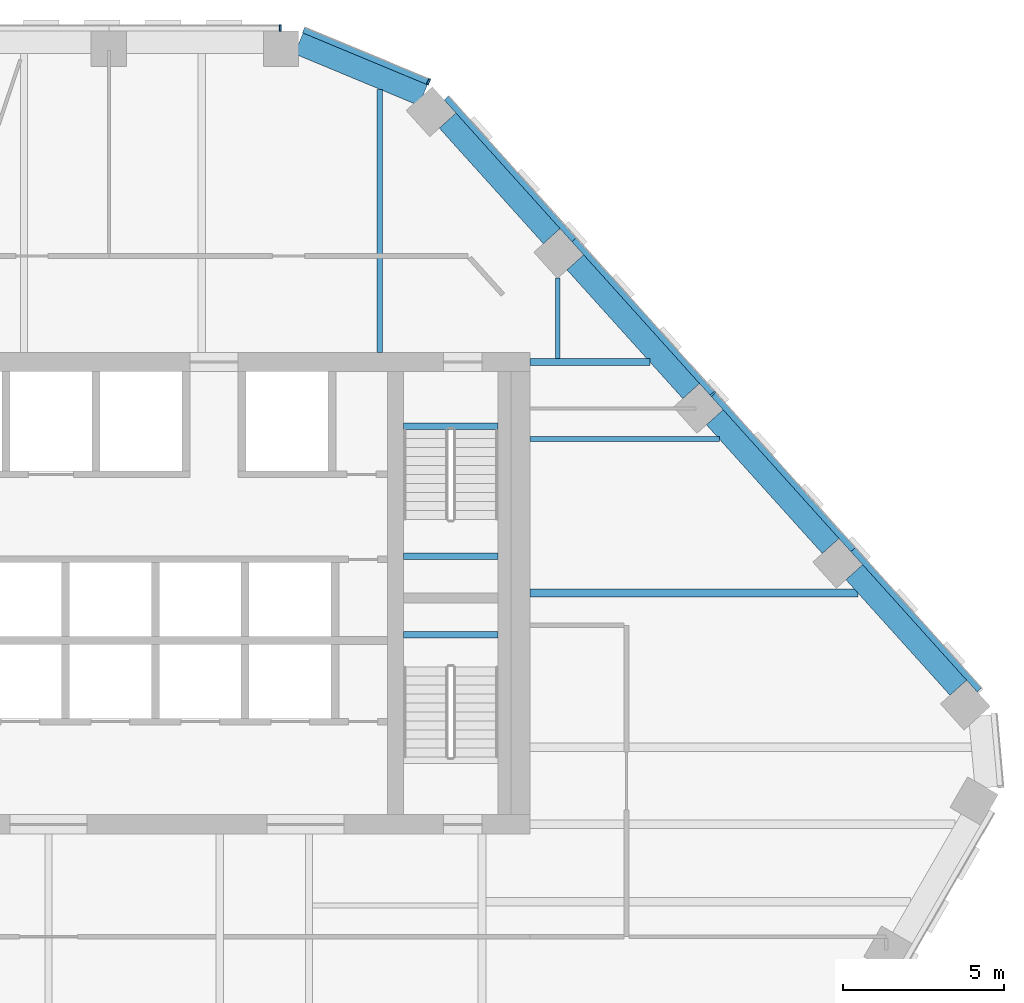
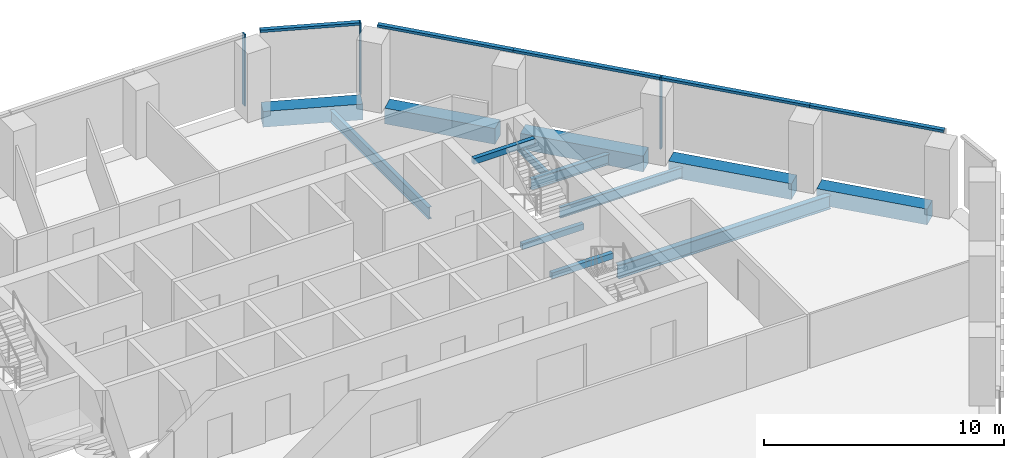
# One storey, part 7 of 16: 13 beams, 8 members, 3 elements without a shape of their own.
"""IFC4 building model written with IfcOpenShell, lengths in metres."""

from ifc_helpers import new_model, si_unit, direction, frame, origin, origin_2d, place, context, subcontext, project, spatial, rectangle, i_section, extrude, material, layer, layer_set, material_profile, profile_set, type_object, element, aggregate, save


model = new_model("IFC4")

# Units and contexts
model_context = context("Model", 3, precision=1e-05, world=origin(), true_north=direction((0.0, 1.0)))
body_context = subcontext(model_context, "Body", "Model", "MODEL_VIEW")
ifc_project = project(units=[si_unit("LENGTHUNIT", "METRE"), si_unit("AREAUNIT", "SQUARE_METRE"), si_unit("VOLUMEUNIT", "CUBIC_METRE"), si_unit("PLANEANGLEUNIT", "RADIAN"), si_unit("MASSUNIT", "GRAM", prefix="KILO")], contexts=[model_context])

# Site, building, storey
site_placement = place(None, origin())
site = spatial("IfcSite", under=ifc_project, at=site_placement, CompositionType="ELEMENT")
building_placement = place(site_placement, origin())
building = spatial("IfcBuilding", under=site, at=building_placement, Name="Isthmus Gate Tower", CompositionType="ELEMENT")
storey_placement = place(building_placement, frame((0.0, 0.0, 216.300048828125)))
storey = spatial("IfcBuildingStorey", under=building, at=storey_placement, Name="L54", CompositionType="ELEMENT", Elevation=216.300048828125)

# Curtain wall, member
ifc_material_1 = material(Name="Aluminium, pale champagne anodised", Category="aluminium")
ifc_layer = layer(ifc_material_1, 0.199951171875)
ifc_layer_set = layer_set([ifc_layer], Name="CW-1 UNITISED CURTAIN WALL 200 DEEP")
curtain_wall_type = type_object("IfcCurtainWallType", Name="CW-1 UNITISED CURTAIN WALL 200 DEEP", PredefinedType="NOTDEFINED", material=ifc_layer_set)
curtain_wall_1_placement = place(storey_placement, origin())
curtain_wall_1 = element("IfcCurtainWall", 1, at=curtain_wall_1_placement, inside=storey, type_object=curtain_wall_type, Name="CW-1 N L54", PredefinedType="NOTDEFINED")
ifc_material_2 = material(Name="Aluminium, pale champagne anodised", Category="aluminium")
ifc_material_profile_1 = material_profile(ifc_material_2, rectangle(XDim=0.06005859375, YDim=0.199951171875, at=origin_2d()), Name="60x200")
ifc_profile_set_1 = profile_set([ifc_material_profile_1], Name="Aluminium, pale champagne anodised")
member_type_1 = type_object("IfcMemberType", Name="CW-1 MULLION 60 X 200", PredefinedType="MULLION", material=ifc_profile_set_1)
member_1_placement = place(storey_placement, frame((7.211181640625, 25.10009765625, 0.0), z_axis=(0.0, 0.0, 1.0), x_axis=(-1.0, 0.0, 0.0)))
member_1 = element("IfcMember", 2, at=member_1_placement, type_object=member_type_1, Name="CW-1 mullion", PredefinedType="MULLION", context=body_context, shape_type="SweptSolid", body=[
    extrude(rectangle(XDim=0.06005859375, YDim=0.199951171875, at=origin_2d()), origin(), (0.0, 0.0, 1.0), 3.64990234375),
])
aggregate(curtain_wall_1, [member_1])

curtain_wall_2_placement = place(storey_placement, origin())
curtain_wall_2 = element("IfcCurtainWall", 3, at=curtain_wall_2_placement, inside=storey, type_object=curtain_wall_type, Name="CW-1 NE L54", PredefinedType="NOTDEFINED")
member_2_placement = place(storey_placement, frame((20.696533203125, 13.709228515625, 0.0), z_axis=(0.0, 0.0, 1.0), x_axis=(-0.669130606359, 0.743144825477, 0.0)))
member_2 = element("IfcMember", 4, at=member_2_placement, type_object=member_type_1, Name="CW-1 mullion", PredefinedType="MULLION", context=body_context, shape_type="SweptSolid", body=[
    extrude(rectangle(XDim=0.06005859375, YDim=0.199951171875, at=origin_2d()), origin(), (0.0, 0.0, 1.0), 3.64990234375),
])

curtain_wall_3_placement = place(storey_placement, origin())
curtain_wall_3 = element("IfcCurtainWall", 5, at=curtain_wall_3_placement, inside=storey, type_object=curtain_wall_type, Name="CW-1 NE-N L54", PredefinedType="NOTDEFINED")
member_3_placement = place(storey_placement, frame((11.83349609375, 23.427490234375, 0.0), z_axis=(0.0, 0.0, 1.0), x_axis=(-0.923353128387, 0.383951820282, 0.0)))
member_3 = element("IfcMember", 6, at=member_3_placement, type_object=member_type_1, Name="CW-1 mullion", PredefinedType="MULLION", context=body_context, shape_type="SweptSolid", body=[
    extrude(rectangle(XDim=0.06005859375, YDim=0.199951171875, at=origin_2d()), origin(), (0.0, 0.0, 1.0), 3.64990234375),
])

# Member
ifc_material_3 = material(Name="Aluminium, pale champagne anodised", Category="aluminium")
ifc_material_profile_2 = material_profile(ifc_material_3, rectangle(XDim=0.199951171875, YDim=0.1298828125, at=origin_2d()), Name="200x130")
ifc_profile_set_2 = profile_set([ifc_material_profile_2], Name="Aluminium, pale champagne anodised")
member_type_2 = type_object("IfcMemberType", Name="CW-1 TRANSOM 200 X 130", PredefinedType="USERDEFINED", material=ifc_profile_set_2)
member_4_placement = place(storey_placement, frame((28.99609375, 4.491455078125, 3.5849609375), z_axis=(-0.669134411332, 0.743141399447, 0.0), x_axis=(-0.743141399447, -0.669134411332, 0.0)))
member_4 = element("IfcMember", 7, at=member_4_placement, type_object=member_type_2, Name="CW-1 transom", ObjectType="TRANSOM", PredefinedType="USERDEFINED", context=body_context, shape_type="SweptSolid", body=[
    extrude(rectangle(XDim=0.199951171875, YDim=0.1298828125, at=origin_2d()), origin(), (0.0, 0.0, 1.0), 5.8818359375),
])

member_5_placement = place(storey_placement, frame((25.060302734375, 8.862548828125, 3.5849609375), z_axis=(-0.669112239491, 0.743161362668, 0.0), x_axis=(-0.743161362668, -0.669112239491, 0.0)))
member_5 = element("IfcMember", 8, at=member_5_placement, type_object=member_type_2, Name="CW-1 transom", ObjectType="TRANSOM", PredefinedType="USERDEFINED", context=body_context, shape_type="SweptSolid", body=[
    extrude(rectangle(XDim=0.199951171875, YDim=0.1298828125, at=origin_2d()), origin(), (0.0, 0.0, 1.0), 6.49169921875),
])

member_6_placement = place(storey_placement, frame((20.67626953125, 13.7314453125, 3.5849609375), z_axis=(-0.669128292476, 0.7431469089, 0.0), x_axis=(-0.7431469089, -0.669128292476, 0.0)))
member_6 = element("IfcMember", 9, at=member_6_placement, type_object=member_type_2, Name="CW-1 transom", ObjectType="TRANSOM", PredefinedType="USERDEFINED", context=body_context, shape_type="SweptSolid", body=[
    extrude(rectangle(XDim=0.199951171875, YDim=0.1298828125, at=origin_2d()), origin(), (0.0, 0.0, 1.0), 6.431884765625),
])

member_7_placement = place(storey_placement, frame((16.37255859375, 18.51123046875, 3.5849609375), z_axis=(-0.669116811031, 0.743157246615, 0.0), x_axis=(-0.743157246615, -0.669116811031, 0.0)))
member_7 = element("IfcMember", 10, at=member_7_placement, type_object=member_type_2, Name="CW-1 transom", ObjectType="TRANSOM", PredefinedType="USERDEFINED", context=body_context, shape_type="SweptSolid", body=[
    extrude(rectangle(XDim=0.199951171875, YDim=0.1298828125, at=origin_2d()), origin(), (0.0, 0.0, 1.0), 5.94189453125),
])

aggregate(curtain_wall_2, [member_4, member_5, member_2, member_6, member_7])

member_8_placement = place(storey_placement, frame((11.8056640625, 23.43896484375, 3.5849609375), z_axis=(-0.923358236369, 0.383939536033, 0.0), x_axis=(-0.383939536033, -0.923358236369, 0.0)))
member_8 = element("IfcMember", 11, at=member_8_placement, type_object=member_type_2, Name="CW-1 transom", ObjectType="TRANSOM", PredefinedType="USERDEFINED", context=body_context, shape_type="SweptSolid", body=[
    extrude(rectangle(XDim=0.199951171875, YDim=0.1298828125, at=origin_2d()), origin(), (0.0, 0.0, 1.0), 4.181640625),
])

aggregate(curtain_wall_3, [member_3, member_8])

# Beams
ifc_material_4 = material(Name="Concrete f'c 50 MPa", Category="concrete")
ifc_material_profile_3 = material_profile(ifc_material_4, rectangle(XDim=0.699951171875, YDim=0.800048828125, at=origin_2d()), Name="RC 700X800")
ifc_profile_set_3 = profile_set([ifc_material_profile_3], Name="Concrete f'c 50 MPa")
beam_type_1 = type_object("IfcBeamType", Name="RC SPANDREL 700 X 800", PredefinedType="SPANDREL", material=ifc_profile_set_3)
beam_1_placement = place(storey_placement, frame((7.791015625, 24.620849609375, -0.400146484375), z_axis=(0.923360646135, -0.383933740597, 0.0), x_axis=(0.383933740597, 0.923360646135, 0.0)))
element("IfcBeam", 12, at=beam_1_placement, inside=storey, type_object=beam_type_1, Name="str-spandrel-L54-00", PredefinedType="SPANDREL", context=body_context, shape_type="SweptSolid", body=[
    extrude(rectangle(XDim=0.699951171875, YDim=0.800048828125, at=origin_2d()), origin(), (0.0, 0.0, 1.0), 4.19677734375),
])
beam_2_placement = place(storey_placement, frame((12.43017578125, 22.21728515625, -0.400146484375), z_axis=(0.669129069044, -0.743146209679, 0.0), x_axis=(0.743146209679, 0.669129069044, 0.0)))
element("IfcBeam", 13, at=beam_2_placement, inside=storey, type_object=beam_type_1, Name="str-spandrel-L54-01", PredefinedType="SPANDREL", context=body_context, shape_type="SweptSolid", body=[
    extrude(rectangle(XDim=0.699951171875, YDim=0.800048828125, at=origin_2d()), origin(), (0.0, 0.0, 1.0), 4.842041015625),
])
beam_3_placement = place(storey_placement, frame((16.40625, 17.801513671875, -0.400146484375), z_axis=(0.669122314994, -0.743152290972, 0.0), x_axis=(0.743152290972, 0.669122314994, 0.0)))
element("IfcBeam", 14, at=beam_3_placement, inside=storey, type_object=beam_type_1, Name="str-spandrel-L54-02", PredefinedType="SPANDREL", context=body_context, shape_type="SweptSolid", body=[
    extrude(rectangle(XDim=0.699951171875, YDim=0.800048828125, at=origin_2d()), origin(), (0.0, 0.0, 1.0), 5.39208984375),
])
beam_4_placement = place(storey_placement, frame((20.75, 12.97705078125, -0.400146484375), z_axis=(0.669144830508, -0.743132017749, 0.0), x_axis=(0.743132017749, 0.669144830508, 0.0)))
element("IfcBeam", 15, at=beam_4_placement, inside=storey, type_object=beam_type_1, Name="str-spandrel-L54-03", PredefinedType="SPANDREL", context=body_context, shape_type="SweptSolid", body=[
    extrude(rectangle(XDim=0.699951171875, YDim=0.800048828125, at=origin_2d()), origin(), (0.0, 0.0, 1.0), 5.391845703125),
])
beam_5_placement = place(storey_placement, frame((25.093994140625, 8.152587890625, -0.400146484375), z_axis=(0.669154141686, -0.743123633499, 0.0), x_axis=(0.743123633499, 0.669154141686, 0.0)))
element("IfcBeam", 16, at=beam_5_placement, inside=storey, type_object=beam_type_1, Name="str-spandrel-L54-04", PredefinedType="SPANDREL", context=body_context, shape_type="SweptSolid", body=[
    extrude(rectangle(XDim=0.699951171875, YDim=0.800048828125, at=origin_2d()), origin(), (0.0, 0.0, 1.0), 4.842041015625),
])
ifc_material_5 = material(Name="Concrete f'c 40 MPa", Category="concrete")
ifc_material_profile_4 = material_profile(ifc_material_5, rectangle(XDim=0.199951171875, YDim=0.300048828125, at=origin_2d()), Name="STAIR LANDING BEAM RC 200 X 300")
ifc_profile_set_4 = profile_set([ifc_material_profile_4], Name="Concrete f'c 40 MPa")
beam_type_2 = type_object("IfcBeamType", Name="STAIR LANDING BEAM RC 200 X 300", PredefinedType="BEAM", material=ifc_profile_set_4)
for number, where, z_axis, x_axis, name in (
    (17, (11.050048828125, 8.64990234375, 1.474853515625), (1.0, 0.0, 0.0), (0.0, 1.0, 0.0), "L54 ST2 landing beam 1"),
    (18, (11.050048828125, 12.7001953125, 3.349853515625), (1.0, 0.0, 0.0), (0.0, 1.0, 0.0), "L54 ST2 floor-edge seat beam"),
    (19, (11.050048828125, 6.199951171875, 1.474853515625), (1.0, 0.0, 0.0), (0.0, 1.0, 0.0), "L54 ST8 landing beam 1"),
):
    element("IfcBeam", number, at=place(storey_placement, frame(where, z_axis=z_axis, x_axis=x_axis)), inside=storey, type_object=beam_type_2, Name=name, PredefinedType="BEAM", context=body_context, shape_type="SweptSolid", body=[
        extrude(rectangle(XDim=0.199951171875, YDim=0.300048828125, at=origin_2d()), origin(), (0.0, 0.0, 1.0), 2.949951171875),
    ])
ifc_material_6 = material(Name="Structural steel ASTM A992 Gr 50", Category="steel")
ifc_material_profile_5 = material_profile(ifc_material_6, i_section(OverallWidth=0.1396484375, OverallDepth=0.4033203125, WebThickness=0.00634765625, FlangeThickness=0.010986328125, at=origin_2d()), Name="W16X31")
ifc_profile_set_5 = profile_set([ifc_material_profile_5], Name="Structural steel ASTM A992 Gr 50")
beam_type_3 = type_object("IfcBeamType", Name="STEEL FLOOR BEAM W16X31", PredefinedType="JOIST", material=ifc_profile_set_5)
beam_6_placement = place(storey_placement, frame((15.862060546875, 14.8046875, -0.3515625), z_axis=(0.0, 1.0, 0.0), x_axis=(-1.0, 0.0, 0.0)))
element("IfcBeam", 20, at=beam_6_placement, inside=storey, type_object=beam_type_3, Name="str-beam-L54-05-06", PredefinedType="JOIST", context=body_context, shape_type="SweptSolid", body=[
    extrude(i_section(OverallWidth=0.1396484375, OverallDepth=0.4033203125, WebThickness=0.00634765625, FlangeThickness=0.010986328125, at=origin_2d()), origin(), (0.0, 0.0, 1.0), 2.5068359375),
])
ifc_material_7 = material(Name="Structural steel ASTM A992 Gr 50", Category="steel")
ifc_material_profile_6 = material_profile(ifc_material_7, i_section(OverallWidth=0.1650390625, OverallDepth=0.52392578125, WebThickness=0.009521484375, FlangeThickness=0.010986328125, at=origin_2d()), Name="W21X44")
ifc_profile_set_6 = profile_set([ifc_material_profile_6], Name="Structural steel ASTM A992 Gr 50")
beam_type_4 = type_object("IfcBeamType", Name="STEEL FLOOR BEAM W21X44", PredefinedType="JOIST", material=ifc_profile_set_6)
beam_7_placement = place(storey_placement, frame((15.0, 12.300048828125, -0.412109375), z_axis=(1.0, 0.0, 0.0), x_axis=(0.0, 1.0, 0.0)))
element("IfcBeam", 21, at=beam_7_placement, inside=storey, type_object=beam_type_4, Name="str-beam-L54-13-02", PredefinedType="JOIST", context=body_context, shape_type="SweptSolid", body=[
    extrude(i_section(OverallWidth=0.1650390625, OverallDepth=0.52392578125, WebThickness=0.009521484375, FlangeThickness=0.010986328125, at=origin_2d()), origin(), (0.0, 0.0, 1.0), 5.888671875),
])
ifc_material_8 = material(Name="Structural steel ASTM A992 Gr 50", Category="steel")
ifc_material_profile_7 = material_profile(ifc_material_8, i_section(OverallWidth=0.177734375, OverallDepth=0.60009765625, WebThickness=0.009521484375, FlangeThickness=0.0126953125, at=origin_2d()), Name="W24X55")
ifc_profile_set_7 = profile_set([ifc_material_profile_7], Name="Structural steel ASTM A992 Gr 50")
beam_type_5 = type_object("IfcBeamType", Name="STEEL FLOOR BEAM W24X55", PredefinedType="JOIST", material=ifc_profile_set_7)
beam_8_placement = place(storey_placement, frame((10.3193359375, 15.0, -0.4501953125), z_axis=(0.0, 1.0, 0.0), x_axis=(-1.0, 0.0, 0.0)))
element("IfcBeam", 22, at=beam_8_placement, inside=storey, type_object=beam_type_5, Name="str-beam-L54-05-05", PredefinedType="JOIST", context=body_context, shape_type="SweptSolid", body=[
    extrude(i_section(OverallWidth=0.177734375, OverallDepth=0.60009765625, WebThickness=0.009521484375, FlangeThickness=0.0126953125, at=origin_2d()), origin(), (0.0, 0.0, 1.0), 8.190673828125),
])
ifc_material_9 = material(Name="Structural steel ASTM A992 Gr 50", Category="steel")
ifc_material_profile_8 = material_profile(ifc_material_9, i_section(OverallWidth=0.25390625, OverallDepth=0.679443359375, WebThickness=0.010986328125, FlangeThickness=0.015869140625, at=origin_2d()), Name="W27X84")
ifc_profile_set_8 = profile_set([ifc_material_profile_8], Name="Structural steel ASTM A992 Gr 50")
beam_type_6 = type_object("IfcBeamType", Name="STEEL FLOOR BEAM W27X84", PredefinedType="JOIST", material=ifc_profile_set_8)
beam_9_placement = place(storey_placement, frame((15.0, 7.5, -0.48974609375), z_axis=(1.0, 0.0, 0.0), x_axis=(0.0, 1.0, 0.0)))
element("IfcBeam", 23, at=beam_9_placement, inside=storey, type_object=beam_type_6, Name="str-beam-L54-13-01", PredefinedType="JOIST", context=body_context, shape_type="SweptSolid", body=[
    extrude(i_section(OverallWidth=0.25390625, OverallDepth=0.679443359375, WebThickness=0.010986328125, FlangeThickness=0.015869140625, at=origin_2d()), origin(), (0.0, 0.0, 1.0), 10.210693359375),
])
ifc_material_10 = material(Name="Structural steel ASTM A992 Gr 50", Category="steel")
ifc_material_profile_9 = material_profile(ifc_material_10, i_section(OverallWidth=0.20947265625, OverallDepth=0.533447265625, WebThickness=0.009521484375, FlangeThickness=0.015869140625, at=origin_2d()), Name="W21X62")
ifc_profile_set_9 = profile_set([ifc_material_profile_9], Name="Structural steel ASTM A992 Gr 50")
beam_type_7 = type_object("IfcBeamType", Name="STEEL GIRDER W21X62", PredefinedType="BEAM", material=ifc_profile_set_9)
beam_10_placement = place(storey_placement, frame((15.0, 14.699951171875, -0.416748046875), z_axis=(1.0, 0.0, 0.0), x_axis=(0.0, 1.0, 0.0)))
element("IfcBeam", 24, at=beam_10_placement, inside=storey, type_object=beam_type_7, Name="str-girder-L54-12", PredefinedType="BEAM", context=body_context, shape_type="SweptSolid", body=[
    extrude(i_section(OverallWidth=0.20947265625, OverallDepth=0.533447265625, WebThickness=0.009521484375, FlangeThickness=0.015869140625, at=origin_2d()), origin(), (0.0, 0.0, 1.0), 3.727783203125),
])

save(model, "model.ifc")
